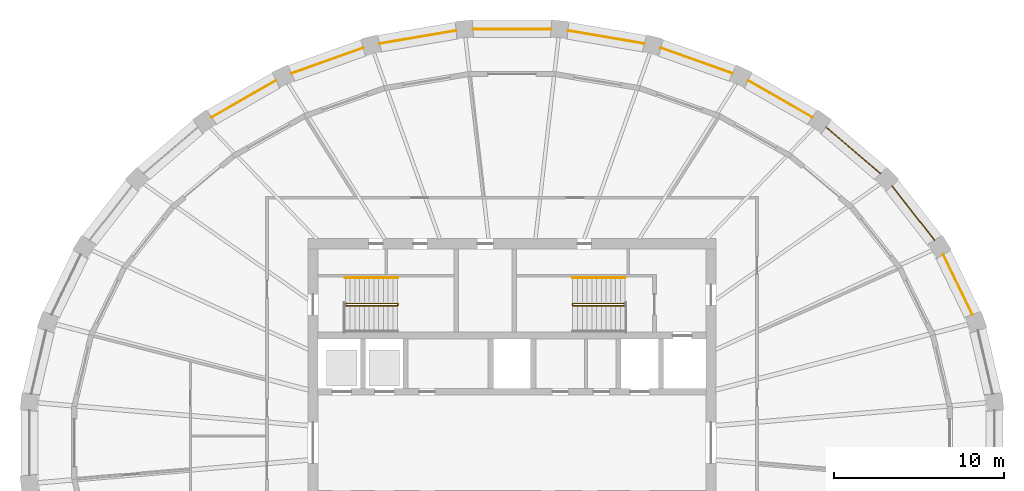
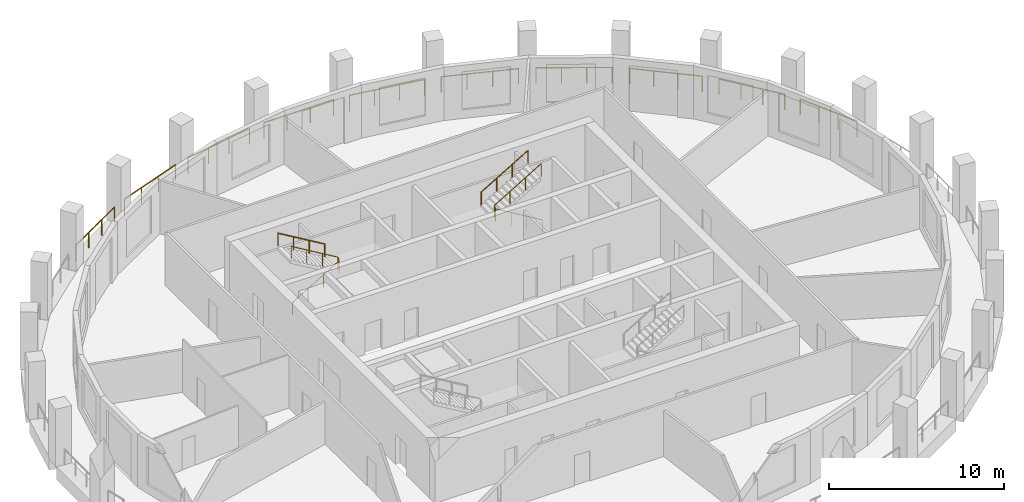
# One storey, part 9 of 10: 14 railings.
"""IFC4 building model written with IfcOpenShell, lengths in metres."""

from ifc_helpers import new_model, si_unit, direction, frame, origin, origin_2d, place, context, subcontext, project, spatial, circle, extrude, material, type_object, element, save


model = new_model("IFC4")

# Units and contexts
model_context = context("Model", 3, precision=1e-05, world=origin(), true_north=direction((0.0, 1.0)))
body_context = subcontext(model_context, "Body", "Model", "MODEL_VIEW")
ifc_project = project(units=[si_unit("LENGTHUNIT", "METRE"), si_unit("AREAUNIT", "SQUARE_METRE"), si_unit("VOLUMEUNIT", "CUBIC_METRE"), si_unit("PLANEANGLEUNIT", "RADIAN"), si_unit("MASSUNIT", "GRAM", prefix="KILO")], contexts=[model_context])

# Site, building, storey
site_placement = place(None, origin())
site = spatial("IfcSite", under=ifc_project, at=site_placement, CompositionType="ELEMENT")
building_placement = place(site_placement, origin())
building = spatial("IfcBuilding", under=site, at=building_placement, Name="Halqa Exchange Tower", CompositionType="ELEMENT")
storey_placement = place(building_placement, frame((0.0, 0.0, 316.300048828125)))
storey = spatial("IfcBuildingStorey", under=building, at=storey_placement, Name="L74", CompositionType="ELEMENT", Elevation=316.300048828125)

# Railings
ifc_material = material(Name="Stainless steel", Category="steel")
railing_type_1 = type_object("IfcRailingType", Name="Guard 1100 stainless steel", PredefinedType="GUARDRAIL", material=ifc_material)
railing_1_placement = place(storey_placement, frame((27.055419921875, 7.54150390625, 0.0)))
element("IfcRailing", 1, at=railing_1_placement, inside=storey, type_object=railing_type_1, Name="Loggia guard 2", PredefinedType="GUARDRAIL", context=body_context, shape_type="SweptSolid", body=[
    extrude(circle(Radius=0.02392578125, at=origin_2d()), frame((0.0, 0.0, 1.076171875), z_axis=(-0.435146748862, 0.900359543158, 0.0), x_axis=(-0.900359543158, -0.435146748862, 0.0)), (0.0, 0.0, 1.0), 3.913818359375),
    extrude(circle(Radius=0.02099609375, at=origin_2d()), origin(), (0.0, 0.0, 1.0), 1.052001953125),
    extrude(circle(Radius=0.02099609375, at=origin_2d()), frame((-0.567626953125, 1.174560546875, 0.0)), (0.0, 0.0, 1.0), 1.052001953125),
    extrude(circle(Radius=0.02099609375, at=origin_2d()), frame((-1.135498046875, 2.349365234375, 0.0)), (0.0, 0.0, 1.0), 1.052001953125),
    extrude(circle(Radius=0.02099609375, at=origin_2d()), frame((-1.703125, 3.52392578125, 0.0)), (0.0, 0.0, 1.0), 1.052001953125),
])
railing_2_placement = place(storey_placement, frame((24.827392578125, 11.909912109375, 0.0)))
element("IfcRailing", 2, at=railing_2_placement, inside=storey, type_object=railing_type_1, Name="Loggia guard 3", PredefinedType="GUARDRAIL", context=body_context, shape_type="SweptSolid", body=[
    extrude(circle(Radius=0.02392578125, at=origin_2d()), frame((0.0, 0.0, 1.076171875), z_axis=(-0.614821078368, 0.788666622594, 0.0), x_axis=(-0.788666622594, -0.614821078368, 0.0)), (0.0, 0.0, 1.0), 4.048828125),
    extrude(circle(Radius=0.02099609375, at=origin_2d()), origin(), (0.0, 0.0, 1.0), 1.052001953125),
    extrude(circle(Radius=0.02099609375, at=origin_2d()), frame((-0.829833984375, 1.064453125, 0.0)), (0.0, 0.0, 1.0), 1.052001953125),
    extrude(circle(Radius=0.02099609375, at=origin_2d()), frame((-1.659423828125, 2.128662109375, 0.0)), (0.0, 0.0, 1.0), 1.052001953125),
    extrude(circle(Radius=0.02099609375, at=origin_2d()), frame((-2.4892578125, 3.193115234375, 0.0)), (0.0, 0.0, 1.0), 1.052001953125),
])
railing_3_placement = place(storey_placement, frame((21.651123046875, 15.82275390625, 0.0)))
element("IfcRailing", 3, at=railing_3_placement, inside=storey, type_object=railing_type_1, Name="Loggia guard 4", PredefinedType="GUARDRAIL", context=body_context, shape_type="SweptSolid", body=[
    extrude(circle(Radius=0.02392578125, at=origin_2d()), frame((0.0, 0.0, 1.076171875), z_axis=(-0.75927300229, 0.650772239723, 0.0), x_axis=(-0.650772239723, -0.75927300229, 0.0)), (0.0, 0.0, 1.0), 4.203125),
    extrude(circle(Radius=0.02099609375, at=origin_2d()), origin(), (0.0, 0.0, 1.0), 1.052001953125),
    extrude(circle(Radius=0.02099609375, at=origin_2d()), frame((-1.063720703125, 0.911865234375, 0.0)), (0.0, 0.0, 1.0), 1.052001953125),
    extrude(circle(Radius=0.02099609375, at=origin_2d()), frame((-2.127685546875, 1.823486328125, 0.0)), (0.0, 0.0, 1.0), 1.052001953125),
    extrude(circle(Radius=0.02099609375, at=origin_2d()), frame((-3.19140625, 2.7353515625, 0.0)), (0.0, 0.0, 1.0), 1.052001953125),
])
railing_4_placement = place(storey_placement, frame((17.646240234375, 19.132080078125, 0.0)))
element("IfcRailing", 4, at=railing_4_placement, inside=storey, type_object=railing_type_1, Name="Loggia guard 5", PredefinedType="GUARDRAIL", context=body_context, shape_type="SweptSolid", body=[
    extrude(circle(Radius=0.02392578125, at=origin_2d()), frame((0.0, 0.0, 1.076171875), z_axis=(-0.867752650497, 0.496996315434, 0.0), x_axis=(-0.496996315434, -0.867752650497, 0.0)), (0.0, 0.0, 1.0), 4.353271484375),
    extrude(circle(Radius=0.02099609375, at=origin_2d()), origin(), (0.0, 0.0, 1.0), 1.052001953125),
    extrude(circle(Radius=0.02099609375, at=origin_2d()), frame((-1.25927734375, 0.72119140625, 0.0)), (0.0, 0.0, 1.0), 1.052001953125),
    extrude(circle(Radius=0.02099609375, at=origin_2d()), frame((-2.518310546875, 1.4423828125, 0.0)), (0.0, 0.0, 1.0), 1.052001953125),
    extrude(circle(Radius=0.02099609375, at=origin_2d()), frame((-3.777587890625, 2.16357421875, 0.0)), (0.0, 0.0, 1.0), 1.052001953125),
])
railing_5_placement = place(storey_placement, frame((12.963623046875, 21.71142578125, 0.0)))
element("IfcRailing", 5, at=railing_5_placement, inside=storey, type_object=railing_type_1, Name="Loggia guard 6", PredefinedType="GUARDRAIL", context=body_context, shape_type="SweptSolid", body=[
    extrude(circle(Radius=0.02392578125, at=origin_2d()), frame((0.0, 0.0, 1.076171875), z_axis=(-0.942364531835, 0.334587939321, 0.0), x_axis=(-0.334587939321, -0.942364531835, 0.0)), (0.0, 0.0, 1.0), 4.477294921875),
    extrude(circle(Radius=0.02099609375, at=origin_2d()), origin(), (0.0, 0.0, 1.0), 1.052001953125),
    extrude(circle(Radius=0.02099609375, at=origin_2d()), frame((-1.406494140625, 0.499267578125, 0.0)), (0.0, 0.0, 1.0), 1.052001953125),
    extrude(circle(Radius=0.02099609375, at=origin_2d()), frame((-2.812744140625, 0.998779296875, 0.0)), (0.0, 0.0, 1.0), 1.052001953125),
    extrude(circle(Radius=0.02099609375, at=origin_2d()), frame((-4.21923828125, 1.498046875, 0.0)), (0.0, 0.0, 1.0), 1.052001953125),
])
railing_6_placement = place(storey_placement, frame((7.7802734375, 23.460693359375, 0.0)))
element("IfcRailing", 6, at=railing_6_placement, inside=storey, type_object=railing_type_1, Name="Loggia guard 7", PredefinedType="GUARDRAIL", context=body_context, shape_type="SweptSolid", body=[
    extrude(circle(Radius=0.02392578125, at=origin_2d()), frame((0.0, 0.0, 1.076171875), z_axis=(-0.985768911013, 0.168106079843, 0.0), x_axis=(-0.168106079843, -0.985768911013, 0.0)), (0.0, 0.0, 1.0), 4.558837890625),
    extrude(circle(Radius=0.02099609375, at=origin_2d()), origin(), (0.0, 0.0, 1.0), 1.052001953125),
    extrude(circle(Radius=0.02099609375, at=origin_2d()), frame((-1.498046875, 0.25537109375, 0.0)), (0.0, 0.0, 1.0), 1.052001953125),
    extrude(circle(Radius=0.02099609375, at=origin_2d()), frame((-2.995849609375, 0.510986328125, 0.0)), (0.0, 0.0, 1.0), 1.052001953125),
    extrude(circle(Radius=0.02099609375, at=origin_2d()), frame((-4.493896484375, 0.766357421875, 0.0)), (0.0, 0.0, 1.0), 1.052001953125),
])
railing_7_placement = place(storey_placement, frame((2.29345703125, 24.31103515625, 0.0)))
element("IfcRailing", 7, at=railing_7_placement, inside=storey, type_object=railing_type_1, Name="Loggia guard 8", PredefinedType="GUARDRAIL", context=body_context, shape_type="SweptSolid", body=[
    extrude(circle(Radius=0.02392578125, at=origin_2d()), frame((0.0, 0.0, 1.076171875), z_axis=(-1.0, 0.0, 0.0), x_axis=(0.0, -1.0, 0.0)), (0.0, 0.0, 1.0), 4.5869140625),
    extrude(circle(Radius=0.02099609375, at=origin_2d()), origin(), (0.0, 0.0, 1.0), 1.052001953125),
    extrude(circle(Radius=0.02099609375, at=origin_2d()), frame((-1.529052734375, 0.0, 0.0)), (0.0, 0.0, 1.0), 1.052001953125),
    extrude(circle(Radius=0.02099609375, at=origin_2d()), frame((-3.057861328125, 0.0, 0.0)), (0.0, 0.0, 1.0), 1.052001953125),
    extrude(circle(Radius=0.02099609375, at=origin_2d()), frame((-4.5869140625, 0.0, 0.0)), (0.0, 0.0, 1.0), 1.052001953125),
])
railing_8_placement = place(storey_placement, frame((-3.286376953125, 24.22705078125, 0.0)))
element("IfcRailing", 8, at=railing_8_placement, inside=storey, type_object=railing_type_1, Name="Loggia guard 9", PredefinedType="GUARDRAIL", context=body_context, shape_type="SweptSolid", body=[
    extrude(circle(Radius=0.02392578125, at=origin_2d()), frame((0.0, 0.0, 1.076171875), z_axis=(-0.985768911013, -0.168106079843, 0.0), x_axis=(0.168106079843, -0.985768911013, 0.0)), (0.0, 0.0, 1.0), 4.558837890625),
    extrude(circle(Radius=0.02099609375, at=origin_2d()), origin(), (0.0, 0.0, 1.0), 1.052001953125),
    extrude(circle(Radius=0.02099609375, at=origin_2d()), frame((-1.498046875, -0.25537109375, 0.0)), (0.0, 0.0, 1.0), 1.052001953125),
    extrude(circle(Radius=0.02099609375, at=origin_2d()), frame((-2.995849609375, -0.510986328125, 0.0)), (0.0, 0.0, 1.0), 1.052001953125),
    extrude(circle(Radius=0.02099609375, at=origin_2d()), frame((-4.493896484375, -0.766357421875, 0.0)), (0.0, 0.0, 1.0), 1.052001953125),
])
railing_9_placement = place(storey_placement, frame((-8.744384765625, 23.20947265625, 0.0)))
element("IfcRailing", 9, at=railing_9_placement, inside=storey, type_object=railing_type_1, Name="Loggia guard 10", PredefinedType="GUARDRAIL", context=body_context, shape_type="SweptSolid", body=[
    extrude(circle(Radius=0.02392578125, at=origin_2d()), frame((0.0, 0.0, 1.076171875), z_axis=(-0.942364531835, -0.334587939321, 0.0), x_axis=(0.334587939321, -0.942364531835, 0.0)), (0.0, 0.0, 1.0), 4.477294921875),
    extrude(circle(Radius=0.02099609375, at=origin_2d()), origin(), (0.0, 0.0, 1.0), 1.052001953125),
    extrude(circle(Radius=0.02099609375, at=origin_2d()), frame((-1.406494140625, -0.499267578125, 0.0)), (0.0, 0.0, 1.0), 1.052001953125),
    extrude(circle(Radius=0.02099609375, at=origin_2d()), frame((-2.812744140625, -0.998779296875, 0.0)), (0.0, 0.0, 1.0), 1.052001953125),
    extrude(circle(Radius=0.02099609375, at=origin_2d()), frame((-4.21923828125, -1.498046875, 0.0)), (0.0, 0.0, 1.0), 1.052001953125),
])
railing_10_placement = place(storey_placement, frame((-13.86865234375, 21.295654296875, 0.0)))
element("IfcRailing", 10, at=railing_10_placement, inside=storey, type_object=railing_type_1, Name="Loggia guard 11", PredefinedType="GUARDRAIL", context=body_context, shape_type="SweptSolid", body=[
    extrude(circle(Radius=0.02392578125, at=origin_2d()), frame((0.0, 0.0, 1.076171875), z_axis=(-0.867752650497, -0.496996315434, 0.0), x_axis=(0.496996315434, -0.867752650497, 0.0)), (0.0, 0.0, 1.0), 4.353271484375),
    extrude(circle(Radius=0.02099609375, at=origin_2d()), origin(), (0.0, 0.0, 1.0), 1.052001953125),
    extrude(circle(Radius=0.02099609375, at=origin_2d()), frame((-1.25927734375, -0.72119140625, 0.0)), (0.0, 0.0, 1.0), 1.052001953125),
    extrude(circle(Radius=0.02099609375, at=origin_2d()), frame((-2.518310546875, -1.4423828125, 0.0)), (0.0, 0.0, 1.0), 1.052001953125),
    extrude(circle(Radius=0.02099609375, at=origin_2d()), frame((-3.777587890625, -2.16357421875, 0.0)), (0.0, 0.0, 1.0), 1.052001953125),
])
railing_type_2 = type_object("IfcRailingType", Name="Stair handrail 900", PredefinedType="HANDRAIL", material=ifc_material)
railing_11_placement = place(storey_placement, frame((-9.800048828125, 8.06005859375, 0.166748046875)))
element("IfcRailing", 11, at=railing_11_placement, inside=storey, type_object=railing_type_2, Name="Handrail ST1.1", PredefinedType="HANDRAIL", context=body_context, shape_type="SweptSolid", body=[
    extrude(circle(Radius=0.02392578125, at=origin_2d()), frame((0.0, 0.0, 0.8759765625), z_axis=(0.859308565015, 0.0, 0.511457515432), x_axis=(0.0, 1.0, 0.0)), (0.0, 0.0, 1.0), 3.58447265625),
    extrude(circle(Radius=0.02392578125, at=origin_2d()), frame((3.080078125, 0.0, 2.708984375), z_axis=(0.0, 0.614500226555, 0.788916644243), x_axis=(-1.0, 0.0, 0.0)), (0.0, 0.0, 1.0), 0.21142578125),
    extrude(circle(Radius=0.02392578125, at=origin_2d()), frame((3.080078125, 0.1298828125, 2.8759765625), z_axis=(-0.859308565015, 0.0, 0.511457515432), x_axis=(0.0, -1.0, 0.0)), (0.0, 0.0, 1.0), 3.58447265625),
    extrude(circle(Radius=0.02099609375, at=origin_2d()), origin(), (0.0, 0.0, 1.0), 0.851806640625),
    extrude(circle(Radius=0.02099609375, at=origin_2d()), frame((1.026611328125, 0.0, 0.611083984375)), (0.0, 0.0, 1.0), 0.851806640625),
    extrude(circle(Radius=0.02099609375, at=origin_2d()), frame((2.053466796875, 0.0, 1.22216796875)), (0.0, 0.0, 1.0), 0.851806640625),
    extrude(circle(Radius=0.02099609375, at=origin_2d()), frame((3.080078125, 0.0, 1.833251953125)), (0.0, 0.0, 1.0), 0.851806640625),
    extrude(circle(Radius=0.02099609375, at=origin_2d()), frame((3.080078125, 0.1298828125, 2.0)), (0.0, 0.0, 1.0), 0.851806640625),
    extrude(circle(Radius=0.02099609375, at=origin_2d()), frame((2.053466796875, 0.1298828125, 2.611083984375)), (0.0, 0.0, 1.0), 0.851806640625),
    extrude(circle(Radius=0.02099609375, at=origin_2d()), frame((1.026611328125, 0.1298828125, 3.22216796875)), (0.0, 0.0, 1.0), 0.851806640625),
    extrude(circle(Radius=0.02099609375, at=origin_2d()), frame((0.0, 0.1298828125, 3.833251953125)), (0.0, 0.0, 1.0), 0.851806640625),
])
railing_12_placement = place(storey_placement, frame((-6.719970703125, 9.699951171875, 2.166748046875)))
element("IfcRailing", 12, at=railing_12_placement, inside=storey, type_object=railing_type_2, Name="Handrail ST1.3", PredefinedType="HANDRAIL", context=body_context, shape_type="SweptSolid", body=[
    extrude(circle(Radius=0.02392578125, at=origin_2d()), frame((0.0, 0.0, 0.8759765625), z_axis=(-0.859308565015, 0.0, 0.511457515432), x_axis=(0.0, -1.0, 0.0)), (0.0, 0.0, 1.0), 3.58447265625),
    extrude(circle(Radius=0.02099609375, at=origin_2d()), origin(), (0.0, 0.0, 1.0), 0.851806640625),
    extrude(circle(Radius=0.02099609375, at=origin_2d()), frame((-1.026611328125, 0.0, 0.611083984375)), (0.0, 0.0, 1.0), 0.851806640625),
    extrude(circle(Radius=0.02099609375, at=origin_2d()), frame((-2.053466796875, 0.0, 1.22216796875)), (0.0, 0.0, 1.0), 0.851806640625),
    extrude(circle(Radius=0.02099609375, at=origin_2d()), frame((-3.080078125, 0.0, 1.833251953125)), (0.0, 0.0, 1.0), 0.851806640625),
])
railing_13_placement = place(storey_placement, frame((6.64990234375, 8.06005859375, 0.166748046875)))
element("IfcRailing", 13, at=railing_13_placement, inside=storey, type_object=railing_type_2, Name="Handrail ST2.1", PredefinedType="HANDRAIL", context=body_context, shape_type="SweptSolid", body=[
    extrude(circle(Radius=0.02392578125, at=origin_2d()), frame((0.0, 0.0, 0.8759765625), z_axis=(-0.859290745958, 0.0, 0.51148745235), x_axis=(0.0, -1.0, 0.0)), (0.0, 0.0, 1.0), 3.584228515625),
    extrude(circle(Radius=0.02392578125, at=origin_2d()), frame((-3.079833984375, 0.0, 2.708984375), z_axis=(0.0, 0.614500226555, 0.788916644243), x_axis=(-1.0, 0.0, 0.0)), (0.0, 0.0, 1.0), 0.21142578125),
    extrude(circle(Radius=0.02392578125, at=origin_2d()), frame((-3.079833984375, 0.1298828125, 2.8759765625), z_axis=(0.859290745958, 0.0, 0.51148745235), x_axis=(0.0, 1.0, 0.0)), (0.0, 0.0, 1.0), 3.584228515625),
    extrude(circle(Radius=0.02099609375, at=origin_2d()), origin(), (0.0, 0.0, 1.0), 0.851806640625),
    extrude(circle(Radius=0.02099609375, at=origin_2d()), frame((-1.026611328125, 0.0, 0.611083984375)), (0.0, 0.0, 1.0), 0.851806640625),
    extrude(circle(Radius=0.02099609375, at=origin_2d()), frame((-2.05322265625, 0.0, 1.22216796875)), (0.0, 0.0, 1.0), 0.851806640625),
    extrude(circle(Radius=0.02099609375, at=origin_2d()), frame((-3.079833984375, 0.0, 1.833251953125)), (0.0, 0.0, 1.0), 0.851806640625),
    extrude(circle(Radius=0.02099609375, at=origin_2d()), frame((-3.079833984375, 0.1298828125, 2.0)), (0.0, 0.0, 1.0), 0.851806640625),
    extrude(circle(Radius=0.02099609375, at=origin_2d()), frame((-2.05322265625, 0.1298828125, 2.611083984375)), (0.0, 0.0, 1.0), 0.851806640625),
    extrude(circle(Radius=0.02099609375, at=origin_2d()), frame((-1.026611328125, 0.1298828125, 3.22216796875)), (0.0, 0.0, 1.0), 0.851806640625),
    extrude(circle(Radius=0.02099609375, at=origin_2d()), frame((0.0, 0.1298828125, 3.833251953125)), (0.0, 0.0, 1.0), 0.851806640625),
])
railing_14_placement = place(storey_placement, frame((3.570068359375, 9.699951171875, 2.166748046875)))
element("IfcRailing", 14, at=railing_14_placement, inside=storey, type_object=railing_type_2, Name="Handrail ST2.3", PredefinedType="HANDRAIL", context=body_context, shape_type="SweptSolid", body=[
    extrude(circle(Radius=0.02392578125, at=origin_2d()), frame((0.0, 0.0, 0.8759765625), z_axis=(0.859290745958, 0.0, 0.51148745235), x_axis=(0.0, 1.0, 0.0)), (0.0, 0.0, 1.0), 3.584228515625),
    extrude(circle(Radius=0.02099609375, at=origin_2d()), origin(), (0.0, 0.0, 1.0), 0.851806640625),
    extrude(circle(Radius=0.02099609375, at=origin_2d()), frame((1.026611328125, 0.0, 0.611083984375)), (0.0, 0.0, 1.0), 0.851806640625),
    extrude(circle(Radius=0.02099609375, at=origin_2d()), frame((2.05322265625, 0.0, 1.22216796875)), (0.0, 0.0, 1.0), 0.851806640625),
    extrude(circle(Radius=0.02099609375, at=origin_2d()), frame((3.079833984375, 0.0, 1.833251953125)), (0.0, 0.0, 1.0), 0.851806640625),
])

save(model, "model.ifc")
